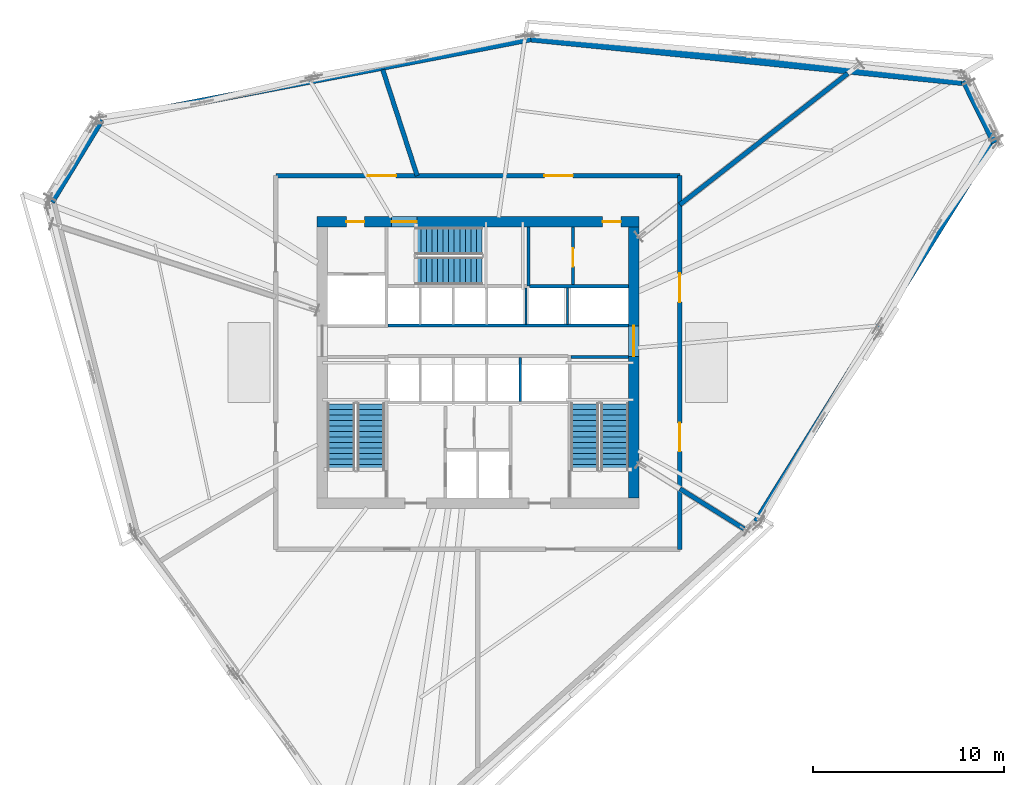
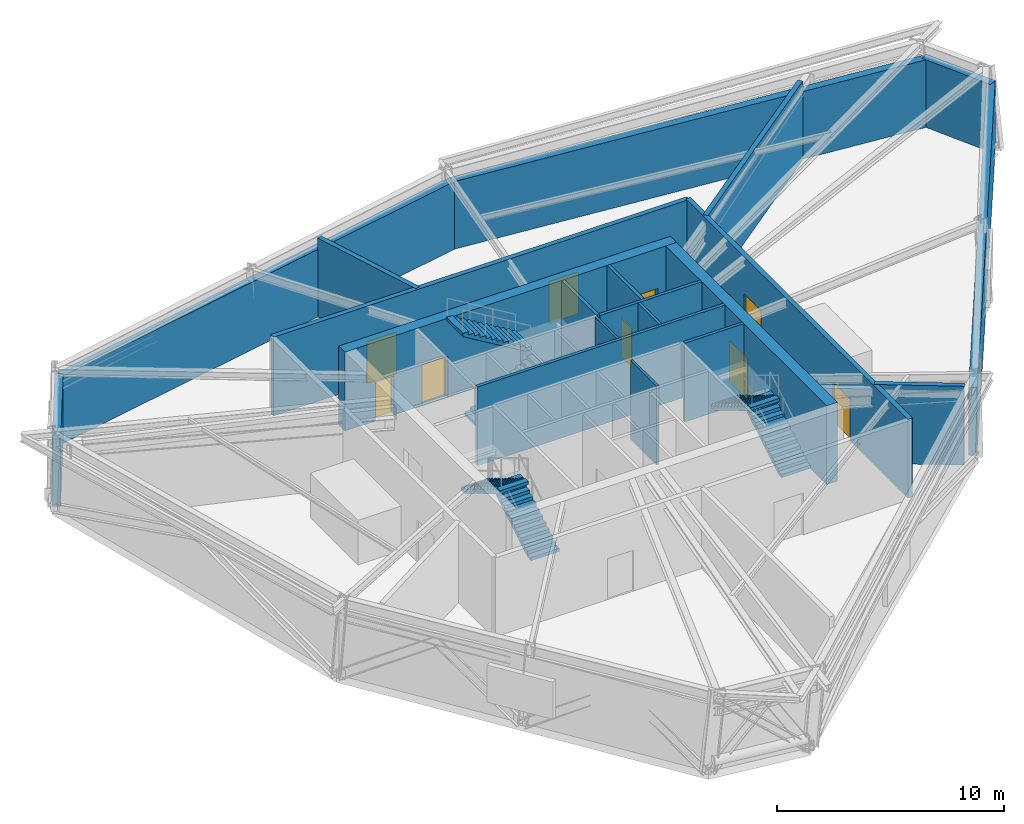
# One storey, part 10 of 14: 20 walls, 9 doors, 6 stair flights, 9 openings, 3 elements without a shape of their own.
"""IFC4 building model written with IfcOpenShell, lengths in metres."""

from ifc_helpers import new_model, si_unit, direction, frame, frame_2d, origin, place, context, subcontext, project, spatial, polyline, rectangle, outline, extrude, source, transform, mapped, material, layer, layer_set, type_object, type_shapes, element, fill, aggregate, save


model = new_model("IFC4")

# Units and contexts
model_context = context("Model", 3, precision=1e-05, world=origin(), true_north=direction((0.0, 1.0)))
body_context = subcontext(model_context, "Body", "Model", "MODEL_VIEW")
ifc_project = project(units=[si_unit("LENGTHUNIT", "METRE"), si_unit("AREAUNIT", "SQUARE_METRE"), si_unit("VOLUMEUNIT", "CUBIC_METRE"), si_unit("PLANEANGLEUNIT", "RADIAN"), si_unit("MASSUNIT", "GRAM", prefix="KILO")], contexts=[model_context])

# Site, building, storey
site_placement = place(None, origin())
site = spatial("IfcSite", under=ifc_project, at=site_placement, CompositionType="ELEMENT")
building_placement = place(site_placement, origin())
building = spatial("IfcBuilding", under=site, at=building_placement, Name="Olszyna Solenne Hotel", CompositionType="ELEMENT")
storey_placement = place(building_placement, frame((0.0, 0.0, 142.10009765625)))
storey = spatial("IfcBuildingStorey", under=building, at=storey_placement, Name="L37", CompositionType="ELEMENT", Elevation=142.10009765625)

# Wall, openings, doors
ifc_material_1 = material(Name="Concrete C50/60", Category="concrete")
ifc_layer_1 = layer(ifc_material_1, 0.550048828125, Name="Concrete C50/60")
ifc_layer_set_1 = layer_set([ifc_layer_1], Name="Concrete C50/60")
wall_type_1 = type_object("IfcWallType", Name="WL-CR550", PredefinedType="SHEAR", material=ifc_layer_set_1)
wall_1_placement = place(storey_placement, frame((29.550048828125, 33.97509765625, 0.0), z_axis=(0.0, 0.0, 1.0), x_axis=(1.0, 0.0, 0.0)))
wall_1 = element("IfcWall", 1, at=wall_1_placement, inside=storey, type_object=wall_type_1, Name="Core shear wall WL-CR550 CRW-L37-N", PredefinedType="SHEAR", context=body_context, shape_type="SweptSolid", body=[
    extrude(rectangle(XDim=16.89990234375, YDim=0.550048828125, at=frame_2d((8.449951171875, 0.0))), origin(), (0.0, 0.0, 1.0), 4.25),
])
opening_1_placement = place(wall_1_placement, frame((1.550048828125, 0.0, 0.0)))
opening_1 = element("IfcOpeningElement", 2, at=opening_1_placement, cuts=wall_1, Name="Opening SVD-L37-01", PredefinedType="OPENING", context=body_context, shape_type="SweptSolid", body=[
    extrude(rectangle(XDim=0.949951171875, YDim=2.10009765625, at=frame_2d((0.47509765625, 1.050048828125))), frame((0.0, 0.28515625, 0.0), z_axis=(0.0, -1.0, 0.0), x_axis=(1.0, 0.0, 0.0)), (0.0, 0.0, 1.0), 0.570068359375),
])
opening_2_placement = place(wall_1_placement, frame((3.929931640625, 0.0, 0.0)))
opening_2 = element("IfcOpeningElement", 3, at=opening_2_placement, cuts=wall_1, Name="Opening STD-L37-03", PredefinedType="OPENING", context=body_context, shape_type="SweptSolid", body=[
    extrude(rectangle(XDim=1.320068359375, YDim=2.199951171875, at=frame_2d((0.66015625, 1.10009765625))), frame((0.0, 0.28515625, 0.0), z_axis=(0.0, -1.0, 0.0), x_axis=(1.0, 0.0, 0.0)), (0.0, 0.0, 1.0), 0.570068359375),
])
opening_3_placement = place(wall_1_placement, frame((15.0, 0.0, 0.0)))
opening_3 = element("IfcOpeningElement", 4, at=opening_3_placement, cuts=wall_1, Name="Opening SVD-L37-BN", PredefinedType="OPENING", context=body_context, shape_type="SweptSolid", body=[
    extrude(rectangle(XDim=0.949951171875, YDim=2.10009765625, at=frame_2d((0.47509765625, 1.050048828125))), frame((0.0, 0.28515625, 0.0), z_axis=(0.0, -1.0, 0.0), x_axis=(1.0, 0.0, 0.0)), (0.0, 0.0, 1.0), 0.570068359375),
])
ifc_material_2 = material(Name="Steel S355J2", Category="steel")
door_type_1 = type_object("IfcDoorType", Name="DR-ST1", OperationType="NOTDEFINED", PredefinedType="DOOR", material=ifc_material_2)
shared_shape_1 = source(origin(), body_context, "Body", "SweptSolid", [
    extrude(rectangle(XDim=1.320068359375, YDim=2.199951171875, at=frame_2d((0.66015625, 1.10009765625))), frame((0.0, 0.02490234375, 0.0), z_axis=(0.0, -1.0, 0.0), x_axis=(1.0, 0.0, 0.0)), (0.0, 0.0, 1.0), 0.050048828125),
])
type_shapes(door_type_1, [shared_shape_1])
door_1_placement = place(opening_2_placement, origin())
door_1 = element("IfcDoor", 5, at=door_1_placement, inside=storey, type_object=door_type_1, Name="Pressurised exit stair ST3 fire door STD-L37-03", OperationType="SINGLE_SWING_RIGHT", OverallHeight=2.199951171875, OverallWidth=1.320068359375, PredefinedType="DOOR", context=body_context, shape_type="MappedRepresentation", body=[
    mapped(shared_shape_1, transform((0.0, 0.0, 0.0), x_axis=(1.0, 0.0, 0.0), y_axis=(0.0, 1.0, 0.0), z_axis=(0.0, 0.0, 1.0), scale=1.0)),
])
fill(opening_2, door_1)
door_type_2 = type_object("IfcDoorType", Name="DR-SV1", OperationType="NOTDEFINED", PredefinedType="DOOR", material=ifc_material_2)
shared_shape_2 = source(origin(), body_context, "Body", "SweptSolid", [
    extrude(rectangle(XDim=0.949951171875, YDim=2.10009765625, at=frame_2d((0.47509765625, 1.050048828125))), frame((0.0, 0.02490234375, 0.0), z_axis=(0.0, -1.0, 0.0), x_axis=(1.0, 0.0, 0.0)), (0.0, 0.0, 1.0), 0.050048828125),
])
type_shapes(door_type_2, [shared_shape_2])
door_2_placement = place(opening_1_placement, origin())
door_2 = element("IfcDoor", 6, at=door_2_placement, inside=storey, type_object=door_type_2, Name="Service lift lobby fire door SVD-L37-01", OperationType="SINGLE_SWING_LEFT", OverallHeight=2.10009765625, OverallWidth=0.949951171875, PredefinedType="DOOR", context=body_context, shape_type="MappedRepresentation", body=[
    mapped(shared_shape_2, transform((0.0, 0.0, 0.0), x_axis=(1.0, 0.0, 0.0), y_axis=(0.0, 1.0, 0.0), z_axis=(0.0, 0.0, 1.0), scale=1.0)),
])
fill(opening_1, door_2)
door_3_placement = place(opening_3_placement, origin())
door_3 = element("IfcDoor", 7, at=door_3_placement, inside=storey, type_object=door_type_2, Name="Housekeeping core fire door SVD-L37-BN", OperationType="SINGLE_SWING_LEFT", OverallHeight=2.10009765625, OverallWidth=0.949951171875, PredefinedType="DOOR", context=body_context, shape_type="MappedRepresentation", body=[
    mapped(shared_shape_2, transform((0.0, 0.0, 0.0), x_axis=(1.0, 0.0, 0.0), y_axis=(0.0, 1.0, 0.0), z_axis=(0.0, 0.0, 1.0), scale=1.0)),
])
fill(opening_3, door_3)

# Wall, opening, door
wall_2_placement = place(storey_placement, frame((46.175048828125, 33.699951171875, 0.0), z_axis=(0.0, 0.0, 1.0), x_axis=(0.0, -1.0, 0.0)))
wall_2 = element("IfcWall", 8, at=wall_2_placement, inside=storey, type_object=wall_type_1, Name="Core shear wall WL-CR550 CRW-L37-E", PredefinedType="SHEAR", context=body_context, shape_type="SweptSolid", body=[
    extrude(rectangle(XDim=14.199951171875, YDim=0.550048828125, at=frame_2d((7.10009765625, 0.0))), origin(), (0.0, 0.0, 1.0), 4.25),
])
opening_4_placement = place(wall_2_placement, frame((5.179931640625, 0.0, 0.0)))
opening_4 = element("IfcOpeningElement", 9, at=opening_4_placement, cuts=wall_2, Name="Opening LHD-L37-E", PredefinedType="OPENING", context=body_context, shape_type="SweptSolid", body=[
    extrude(rectangle(XDim=1.60009765625, YDim=2.199951171875, at=frame_2d((0.800048828125, 1.10009765625))), frame((0.0, 0.28515625, 0.0), z_axis=(0.0, -1.0, 0.0), x_axis=(1.0, 0.0, 0.0)), (0.0, 0.0, 1.0), 0.570068359375),
])
ifc_material_3 = material(Name="Timber hardwood", Category="wood")
door_type_3 = type_object("IfcDoorType", Name="DR-CR1", OperationType="DOUBLE_DOOR_SINGLE_SWING", PredefinedType="DOOR", material=ifc_material_3)
shared_shape_3 = source(origin(), body_context, "Body", "SweptSolid", [
    extrude(rectangle(XDim=1.60009765625, YDim=2.199951171875, at=frame_2d((0.800048828125, 1.10009765625))), frame((0.0, 0.02490234375, 0.0), z_axis=(0.0, -1.0, 0.0), x_axis=(1.0, 0.0, 0.0)), (0.0, 0.0, 1.0), 0.050048828125),
])
type_shapes(door_type_3, [shared_shape_3])
door_4_placement = place(opening_4_placement, origin())
door_4 = element("IfcDoor", 10, at=door_4_placement, inside=storey, type_object=door_type_3, Name="Passenger lift lobby East fire door LHD-L37-E", OperationType="DOUBLE_DOOR_SINGLE_SWING", OverallHeight=2.199951171875, OverallWidth=1.60009765625, PredefinedType="DOOR", context=body_context, shape_type="MappedRepresentation", body=[
    mapped(shared_shape_3, transform((0.0, 0.0, 0.0), x_axis=(1.0, 0.0, 0.0), y_axis=(0.0, 1.0, 0.0), z_axis=(0.0, 0.0, 1.0), scale=1.0)),
])
fill(opening_4, door_4)

# Walls
ifc_material_4 = material(Name="Terracotta cladding on precast concrete C45/55", Category="masonry")
ifc_layer_2 = layer(ifc_material_4, 0.3798828125, Name="Terracotta cladding on precast concrete C45/55")
ifc_layer_set_2 = layer_set([ifc_layer_2], Name="Terracotta cladding on precast concrete C45/55")
wall_type_2 = type_object("IfcWallType", Name="WL-EX380", PredefinedType="SOLIDWALL", material=ifc_layer_set_2)
wall_3_placement = place(storey_placement, frame((15.615478515625, 35.03466796875, 0.0), z_axis=(0.0, 0.0, 1.0), x_axis=(0.519474959346, 0.854485673731, 0.0)))
element("IfcWall", 11, at=wall_3_placement, inside=storey, type_object=wall_type_2, Name="Exterior terracotta-precast frame wall WL-EX380 EW-L37-05", PredefinedType="SOLIDWALL", context=body_context, shape_type="SweptSolid", body=[
    extrude(rectangle(XDim=5.03857421875, YDim=0.3798828125, at=frame_2d((2.519287109375, 0.0))), origin(), (0.0, 0.0, 1.0), 3.641845703125),
])
wall_4_placement = place(storey_placement, frame((18.1064453125, 39.252197265625, 0.0), z_axis=(0.0, 0.0, 1.0), x_axis=(0.982058256353, 0.188577785352, 0.0)))
element("IfcWall", 12, at=wall_4_placement, inside=storey, type_object=wall_type_2, Name="Exterior terracotta-precast frame wall WL-EX380 EW-L37-06", PredefinedType="SOLIDWALL", context=body_context, shape_type="SweptSolid", body=[
    extrude(rectangle(XDim=23.074462890625, YDim=0.3798828125, at=frame_2d((11.537109375, 0.0))), origin(), (0.0, 0.0, 1.0), 3.641845703125),
])
wall_5_placement = place(storey_placement, frame((40.7119140625, 43.601318359375, 0.0), z_axis=(0.0, 0.0, 1.0), x_axis=(0.994945211236, -0.100419254326, 0.0)))
element("IfcWall", 13, at=wall_5_placement, inside=storey, type_object=wall_type_2, Name="Exterior terracotta-precast frame wall WL-EX380 EW-L37-07", PredefinedType="SOLIDWALL", context=body_context, shape_type="SweptSolid", body=[
    extrude(rectangle(XDim=23.07470703125, YDim=0.3798828125, at=frame_2d((11.537353515625, 0.0))), origin(), (0.0, 0.0, 1.0), 3.641845703125),
])
wall_6_placement = place(storey_placement, frame((63.5185546875, 41.389404296875, 0.0), z_axis=(0.0, 0.0, 1.0), x_axis=(0.442318381108, -0.896858098995, 0.0)))
element("IfcWall", 14, at=wall_6_placement, inside=storey, type_object=wall_type_2, Name="Exterior terracotta-precast frame wall WL-EX380 EW-L37-08", PredefinedType="SOLIDWALL", context=body_context, shape_type="SweptSolid", body=[
    extrude(rectangle(XDim=3.6357421875, YDim=0.3798828125, at=frame_2d((1.81787109375, 0.0))), origin(), (0.0, 0.0, 1.0), 3.641845703125),
])
wall_7_placement = place(storey_placement, frame((65.1357421875, 38.313232421875, 0.0), z_axis=(0.0, 0.0, 1.0), x_axis=(-0.529057237664, -0.84858614134, 0.0)))
element("IfcWall", 15, at=wall_7_placement, inside=storey, type_object=wall_type_2, Name="Exterior terracotta-precast frame wall WL-EX380 EW-L37-09", PredefinedType="SOLIDWALL", context=body_context, shape_type="SweptSolid", body=[
    extrude(rectangle(XDim=23.66162109375, YDim=0.3798828125, at=frame_2d((11.830810546875, 0.0))), origin(), (0.0, 0.0, 1.0), 3.641845703125),
])
ifc_material_5 = material(Name="Acoustic gypsum partition", Category="gypsum")
ifc_layer_3 = layer(ifc_material_5, 0.125, Name="Acoustic gypsum partition")
ifc_layer_set_3 = layer_set([ifc_layer_3], Name="Acoustic gypsum partition")
wall_type_3 = type_object("IfcWallType", Name="WL-PT125", PredefinedType="PARTITIONING", material=ifc_layer_set_3)
wall_8_placement = place(storey_placement, frame((40.215087890625, 24.56005859375, 0.0), z_axis=(0.0, 0.0, 1.0), x_axis=(0.0, 1.0, 0.0)))
element("IfcWall", 16, at=wall_8_placement, inside=storey, type_object=wall_type_3, Name="Core shaft compartment wall CW-L37-DIVS402", PredefinedType="PARTITIONING", context=body_context, shape_type="SweptSolid", body=[
    extrude(rectangle(XDim=2.31005859375, YDim=0.125, at=frame_2d((1.155029296875, 0.0))), origin(), (0.0, 0.0, 1.0), 4.25),
])
for number, where, z_axis, x_axis, name in (
    (17, (40.52490234375, 28.60009765625, 0.0), (0.0, 0.0, 1.0), (0.0, 1.0, 0.0), "Core shaft compartment wall CW-L37-DIVEX405"),
    (18, (42.699951171875, 28.60009765625, 0.0), (0.0, 0.0, 1.0), (0.0, 1.0, 0.0), "Core shaft compartment wall CW-L37-DIVEX427"),
):
    element("IfcWall", number, at=place(storey_placement, frame(where, z_axis=z_axis, x_axis=x_axis)), inside=storey, type_object=wall_type_3, Name=name, PredefinedType="PARTITIONING", context=body_context, shape_type="SweptSolid", body=[
        extrude(rectangle(XDim=1.919921875, YDim=0.125, at=frame_2d((0.9599609375, 0.0))), origin(), (0.0, 0.0, 1.0), 4.25),
    ])
ifc_layer_4 = layer(ifc_material_5, 0.159912109375, Name="Acoustic gypsum partition")
ifc_layer_set_4 = layer_set([ifc_layer_4], Name="Acoustic gypsum partition")
wall_type_4 = type_object("IfcWallType", Name="WL-PT160", PredefinedType="PARTITIONING", material=ifc_layer_set_4)
wall_9_placement = place(storey_placement, frame((42.8798828125, 26.8798828125, 0.0), z_axis=(0.0, 0.0, 1.0), x_axis=(1.0, 0.0, 0.0)))
element("IfcWall", 19, at=wall_9_placement, inside=storey, type_object=wall_type_4, Name="Core shaft compartment wall CW-L37-ST2N", PredefinedType="PARTITIONING", context=body_context, shape_type="SweptSolid", body=[
    extrude(rectangle(XDim=3.02001953125, YDim=0.159912109375, at=frame_2d((1.510009765625, 0.0))), origin(), (0.0, 0.0, 1.0), 4.25),
])
wall_10_placement = place(storey_placement, frame((40.659912109375, 30.60009765625, 0.0), z_axis=(0.0, 0.0, 1.0), x_axis=(0.0, 1.0, 0.0)))
element("IfcWall", 20, at=wall_10_placement, inside=storey, type_object=wall_type_4, Name="Core shaft compartment wall CW-L37-ST3E", PredefinedType="PARTITIONING", context=body_context, shape_type="SweptSolid", body=[
    extrude(rectangle(XDim=3.099853515625, YDim=0.159912109375, at=frame_2d((1.5498046875, 0.0))), origin(), (0.0, 0.0, 1.0), 4.25),
])
wall_11_placement = place(storey_placement, frame((33.280029296875, 28.5400390625, 0.0), z_axis=(0.0, 0.0, 1.0), x_axis=(1.0, 0.0, 0.0)))
element("IfcWall", 21, at=wall_11_placement, inside=storey, type_object=wall_type_4, Name="Core shaft compartment wall CW-L37-LRN", PredefinedType="PARTITIONING", context=body_context, shape_type="SweptSolid", body=[
    extrude(rectangle(XDim=12.619873046875, YDim=0.159912109375, at=frame_2d((6.31005859375, 0.0))), origin(), (0.0, 0.0, 1.0), 4.25),
])
wall_12_placement = place(storey_placement, frame((40.719970703125, 30.60009765625, 0.0), z_axis=(0.0, 0.0, 1.0), x_axis=(1.0, 0.0, 0.0)))
element("IfcWall", 22, at=wall_12_placement, inside=storey, type_object=wall_type_4, Name="Core shaft compartment wall CW-L37-LRNTOP", PredefinedType="PARTITIONING", context=body_context, shape_type="SweptSolid", body=[
    extrude(rectangle(XDim=5.179931640625, YDim=0.159912109375, at=frame_2d((2.58984375, 0.0))), origin(), (0.0, 0.0, 1.0), 4.25),
])

# Wall, opening, door
wall_13_placement = place(storey_placement, frame((42.989990234375, 30.679931640625, 0.0), z_axis=(0.0, 0.0, 1.0), x_axis=(0.0, 1.0, 0.0)))
wall_13 = element("IfcWall", 23, at=wall_13_placement, inside=storey, type_object=wall_type_4, Name="Core shaft compartment wall CW-L37-BOH1", PredefinedType="PARTITIONING", context=body_context, shape_type="SweptSolid", body=[
    extrude(rectangle(XDim=3.02001953125, YDim=0.159912109375, at=frame_2d((1.510009765625, 0.0))), origin(), (0.0, 0.0, 1.0), 4.25),
])
opening_5_placement = place(wall_13_placement, frame((0.949951171875, 0.0, 0.0)))
opening_5 = element("IfcOpeningElement", 24, at=opening_5_placement, cuts=wall_13, Name="Opening SVD-L37-BI1", PredefinedType="OPENING", context=body_context, shape_type="SweptSolid", body=[
    extrude(rectangle(XDim=0.949951171875, YDim=2.10009765625, at=frame_2d((0.47509765625, 1.050048828125))), frame((0.0, 0.08984375, 0.0), z_axis=(0.0, -1.0, 0.0), x_axis=(1.0, 0.0, 0.0)), (0.0, 0.0, 1.0), 0.179931640625),
])
door_5_placement = place(opening_5_placement, origin())
door_5 = element("IfcDoor", 25, at=door_5_placement, inside=storey, type_object=door_type_2, Name="BOH inter-room fire door SVD-L37-BI1", OperationType="SINGLE_SWING_LEFT", OverallHeight=2.10009765625, OverallWidth=0.949951171875, PredefinedType="DOOR", context=body_context, shape_type="MappedRepresentation", body=[
    mapped(shared_shape_2, transform((0.0, 0.0, 0.0), x_axis=(1.0, 0.0, 0.0), y_axis=(0.0, 1.0, 0.0), z_axis=(0.0, 0.0, 1.0), scale=1.0)),
])
fill(opening_5, door_5)

# Walls
ifc_layer_5 = layer(ifc_material_5, 0.239990234375, Name="Acoustic gypsum partition")
ifc_layer_set_5 = layer_set([ifc_layer_5], Name="Acoustic gypsum partition")
wall_type_5 = type_object("IfcWallType", Name="WL-PT240", PredefinedType="PARTITIONING", material=ifc_layer_set_5)
wall_14_placement = place(storey_placement, frame((48.60009765625, 19.976318359375, 0.0), z_axis=(0.0, 0.0, 1.0), x_axis=(0.84806382316, -0.529894094935, 0.0)))
element("IfcWall", 26, at=wall_14_placement, inside=storey, type_object=wall_type_5, Name="Interior acoustic partition WL-PT240 PW-L37-2119", PredefinedType="PARTITIONING", context=body_context, shape_type="SweptSolid", body=[
    extrude(rectangle(XDim=3.97705078125, YDim=0.239990234375, at=frame_2d((1.988525390625, 0.0))), origin(), (0.0, 0.0, 1.0), 4.25),
])
wall_15_placement = place(storey_placement, frame((48.60009765625, 34.881591796875, 0.0), z_axis=(0.0, 0.0, 1.0), x_axis=(0.788011131686, 0.615660991406, 0.0)))
element("IfcWall", 27, at=wall_15_placement, inside=storey, type_object=wall_type_5, Name="Interior acoustic partition WL-PT240 PW-L37-2120", PredefinedType="PARTITIONING", context=body_context, shape_type="SweptSolid", body=[
    extrude(rectangle(XDim=11.1806640625, YDim=0.239990234375, at=frame_2d((5.59033203125, 0.0))), origin(), (0.0, 0.0, 1.0), 4.25),
])
wall_16_placement = place(storey_placement, frame((34.81591796875, 36.39990234375, 0.0), z_axis=(0.0, 0.0, 1.0), x_axis=(-0.309041701123, 0.951048488231, 0.0)))
element("IfcWall", 28, at=wall_16_placement, inside=storey, type_object=wall_type_5, Name="Interior acoustic partition WL-PT240 PW-L37-2121", PredefinedType="PARTITIONING", context=body_context, shape_type="SweptSolid", body=[
    extrude(rectangle(XDim=5.847412109375, YDim=0.239990234375, at=frame_2d((2.923828125, 0.0))), origin(), (0.0, 0.0, 1.0), 4.25),
])

# Wall, openings, doors
wall_17_placement = place(storey_placement, frame((27.39990234375, 36.39990234375, 0.0), z_axis=(0.0, 0.0, 1.0), x_axis=(1.0, 0.0, 0.0)))
wall_17 = element("IfcWall", 29, at=wall_17_placement, inside=storey, type_object=wall_type_5, Name="Interior acoustic partition WL-PT240 PW-L37-2124", PredefinedType="PARTITIONING", context=body_context, shape_type="SweptSolid", body=[
    extrude(rectangle(XDim=21.2001953125, YDim=0.239990234375, at=frame_2d((10.60009765625, 0.0))), origin(), (0.0, 0.0, 1.0), 4.25),
])
opening_6_placement = place(wall_17_placement, frame((4.81005859375, 0.0, 0.0)))
opening_6 = element("IfcOpeningElement", 30, at=opening_6_placement, cuts=wall_17, Name="Opening DR-L37-0514", PredefinedType="OPENING", context=body_context, shape_type="SweptSolid", body=[
    extrude(rectangle(XDim=1.5, YDim=2.25, at=frame_2d((0.75, 1.125))), frame((0.0, 0.1298828125, 0.0), z_axis=(0.0, -1.0, 0.0), x_axis=(1.0, 0.0, 0.0)), (0.0, 0.0, 1.0), 0.260009765625),
])
opening_7_placement = place(wall_17_placement, frame((14.090087890625, 0.0, 0.0)))
opening_7 = element("IfcOpeningElement", 31, at=opening_7_placement, cuts=wall_17, Name="Opening DR-L37-0515", PredefinedType="OPENING", context=body_context, shape_type="SweptSolid", body=[
    extrude(rectangle(XDim=1.5, YDim=2.25, at=frame_2d((0.75, 1.125))), frame((0.0, 0.1298828125, 0.0), z_axis=(0.0, -1.0, 0.0), x_axis=(1.0, 0.0, 0.0)), (0.0, 0.0, 1.0), 0.260009765625),
])
door_type_4 = type_object("IfcDoorType", Name="DR-PL1", OperationType="DOUBLE_DOOR_SINGLE_SWING", PredefinedType="DOOR", material=ifc_material_2)
shared_shape_4 = source(origin(), body_context, "Body", "SweptSolid", [
    extrude(rectangle(XDim=1.5, YDim=2.25, at=frame_2d((0.75, 1.125))), frame((0.0, 0.02490234375, 0.0), z_axis=(0.0, -1.0, 0.0), x_axis=(1.0, 0.0, 0.0)), (0.0, 0.0, 1.0), 0.050048828125),
])
type_shapes(door_type_4, [shared_shape_4])
door_6_placement = place(opening_6_placement, origin())
door_6 = element("IfcDoor", 32, at=door_6_placement, inside=storey, type_object=door_type_4, Name="Refuge / Plant Fire Door DR-L37-0514", OperationType="DOUBLE_DOOR_SINGLE_SWING", OverallHeight=2.25, OverallWidth=1.5, PredefinedType="DOOR", context=body_context, shape_type="MappedRepresentation", body=[
    mapped(shared_shape_4, transform((0.0, 0.0, 0.0), x_axis=(1.0, 0.0, 0.0), y_axis=(0.0, 1.0, 0.0), z_axis=(0.0, 0.0, 1.0), scale=1.0)),
])
fill(opening_6, door_6)
door_7_placement = place(opening_7_placement, origin())
door_7 = element("IfcDoor", 33, at=door_7_placement, inside=storey, type_object=door_type_4, Name="Refuge / Plant Fire Door DR-L37-0515", OperationType="DOUBLE_DOOR_SINGLE_SWING", OverallHeight=2.25, OverallWidth=1.5, PredefinedType="DOOR", context=body_context, shape_type="MappedRepresentation", body=[
    mapped(shared_shape_4, transform((0.0, 0.0, 0.0), x_axis=(1.0, 0.0, 0.0), y_axis=(0.0, 1.0, 0.0), z_axis=(0.0, 0.0, 1.0), scale=1.0)),
])
fill(opening_7, door_7)

wall_18_placement = place(storey_placement, frame((48.60009765625, 16.800048828125, 0.0), z_axis=(0.0, 0.0, 1.0), x_axis=(0.0, 1.0, 0.0)))
wall_18 = element("IfcWall", 34, at=wall_18_placement, inside=storey, type_object=wall_type_5, Name="Interior acoustic partition WL-PT240 PW-L37-2126", PredefinedType="PARTITIONING", context=body_context, shape_type="SweptSolid", body=[
    extrude(rectangle(XDim=19.599853515625, YDim=0.239990234375, at=frame_2d((9.7998046875, 0.0))), origin(), (0.0, 0.0, 1.0), 4.25),
])
opening_8_placement = place(wall_18_placement, frame((5.1298828125, 0.0, 0.0)))
opening_8 = element("IfcOpeningElement", 35, at=opening_8_placement, cuts=wall_18, Name="Opening DR-L37-0518", PredefinedType="OPENING", context=body_context, shape_type="SweptSolid", body=[
    extrude(rectangle(XDim=1.5, YDim=2.25, at=frame_2d((0.75, 1.125))), frame((0.0, 0.1298828125, 0.0), z_axis=(0.0, -1.0, 0.0), x_axis=(1.0, 0.0, 0.0)), (0.0, 0.0, 1.0), 0.260009765625),
])
opening_9_placement = place(wall_18_placement, frame((12.969970703125, 0.0, 0.0)))
opening_9 = element("IfcOpeningElement", 36, at=opening_9_placement, cuts=wall_18, Name="Opening DR-L37-0519", PredefinedType="OPENING", context=body_context, shape_type="SweptSolid", body=[
    extrude(rectangle(XDim=1.5, YDim=2.25, at=frame_2d((0.75, 1.125))), frame((0.0, 0.1298828125, 0.0), z_axis=(0.0, -1.0, 0.0), x_axis=(1.0, 0.0, 0.0)), (0.0, 0.0, 1.0), 0.260009765625),
])
door_8_placement = place(opening_8_placement, origin())
door_8 = element("IfcDoor", 37, at=door_8_placement, inside=storey, type_object=door_type_4, Name="Refuge / Plant Fire Door DR-L37-0518", OperationType="DOUBLE_DOOR_SINGLE_SWING", OverallHeight=2.25, OverallWidth=1.5, PredefinedType="DOOR", context=body_context, shape_type="MappedRepresentation", body=[
    mapped(shared_shape_4, transform((0.0, 0.0, 0.0), x_axis=(1.0, 0.0, 0.0), y_axis=(0.0, 1.0, 0.0), z_axis=(0.0, 0.0, 1.0), scale=1.0)),
])
fill(opening_8, door_8)
door_9_placement = place(opening_9_placement, origin())
door_9 = element("IfcDoor", 38, at=door_9_placement, inside=storey, type_object=door_type_4, Name="Refuge / Plant Fire Door DR-L37-0519", OperationType="DOUBLE_DOOR_SINGLE_SWING", OverallHeight=2.25, OverallWidth=1.5, PredefinedType="DOOR", context=body_context, shape_type="MappedRepresentation", body=[
    mapped(shared_shape_4, transform((0.0, 0.0, 0.0), x_axis=(1.0, 0.0, 0.0), y_axis=(0.0, 1.0, 0.0), z_axis=(0.0, 0.0, 1.0), scale=1.0)),
])
fill(opening_9, door_9)

# Stair, stair flights
ifc_material_6 = material(Name="Concrete C40/50", Category="concrete")
stair_type = type_object("IfcStairType", Name="STR-C1", PredefinedType="TWO_QUARTER_WINDING_STAIR", material=ifc_material_6)
stair_1_placement = place(storey_placement, origin())
stair_1 = element("IfcStair", 39, at=stair_1_placement, inside=storey, type_object=stair_type, Name="L37 ST1", PredefinedType="TWO_QUARTER_WINDING_STAIR")
stair_flight_type = type_object("IfcStairFlightType", Name="FLT-C1", PredefinedType="STRAIGHT", material=ifc_material_6)
stair_flight_1_placement = place(storey_placement, frame((32.39501953125, 20.949951171875, 0.0), z_axis=(0.0, 0.0, 1.0), x_axis=(0.0, 1.0, 0.0)))
stair_flight_1 = element("IfcStairFlight", 40, at=stair_flight_1_placement, type_object=stair_flight_type, Name="ST1 flight 1", NumberOfRisers=13, NumberOfTreads=12, PredefinedType="STRAIGHT", RiserHeight=0.173076923, TreadLength=0.29, context=body_context, shape_type="SweptSolid", body=[
    extrude(outline(polyline([(0.0, 0.0), (0.0, 0.173095703125), (0.2900390625, 0.173095703125), (0.2900390625, 0.34619140625), (0.580078125, 0.34619140625), (0.580078125, 0.519287109375), (0.8701171875, 0.519287109375), (0.8701171875, 0.6923828125), (1.159912109375, 0.6923828125), (1.159912109375, 0.865478515625), (1.449951171875, 0.865478515625), (1.449951171875, 1.03857421875), (1.739990234375, 1.03857421875), (1.739990234375, 1.21142578125), (2.030029296875, 1.21142578125), (2.030029296875, 1.384521484375), (2.320068359375, 1.384521484375), (2.320068359375, 1.5576171875), (2.610107421875, 1.5576171875), (2.610107421875, 1.730712890625), (2.89990234375, 1.730712890625), (2.89990234375, 1.90380859375), (3.18994140625, 1.90380859375), (3.18994140625, 2.076904296875), (3.47998046875, 2.076904296875), (3.47998046875, 2.25), (3.47998046875, 1.90234375), (0.29248046875, 0.0), (0.0, 0.0)])), frame((0.0, 0.72509765625, 0.0), z_axis=(0.0, -1.0, 0.0), x_axis=(1.0, 0.0, 0.0)), (0.0, 0.0, 1.0), 1.449951171875),
])
stair_flight_2_placement = place(storey_placement, frame((30.824951171875, 24.429931640625, 2.25), z_axis=(0.0, 0.0, 1.0), x_axis=(0.0, -1.0, 0.0)))
stair_flight_2 = element("IfcStairFlight", 41, at=stair_flight_2_placement, type_object=stair_flight_type, Name="ST1 flight 2", NumberOfRisers=13, NumberOfTreads=12, PredefinedType="STRAIGHT", RiserHeight=0.173076923, TreadLength=0.29, context=body_context, shape_type="SweptSolid", body=[
    extrude(outline(polyline([(0.0, 0.0), (0.0, 0.173095703125), (0.2900390625, 0.173095703125), (0.2900390625, 0.34619140625), (0.580078125, 0.34619140625), (0.580078125, 0.519287109375), (0.8701171875, 0.519287109375), (0.8701171875, 0.6923828125), (1.159912109375, 0.6923828125), (1.159912109375, 0.865478515625), (1.449951171875, 0.865478515625), (1.449951171875, 1.03857421875), (1.739990234375, 1.03857421875), (1.739990234375, 1.21142578125), (2.030029296875, 1.21142578125), (2.030029296875, 1.384521484375), (2.320068359375, 1.384521484375), (2.320068359375, 1.5576171875), (2.610107421875, 1.5576171875), (2.610107421875, 1.730712890625), (2.89990234375, 1.730712890625), (2.89990234375, 1.90380859375), (3.18994140625, 1.90380859375), (3.18994140625, 2.076904296875), (3.47998046875, 2.076904296875), (3.47998046875, 2.25), (3.47998046875, 1.90234375), (0.29248046875, 0.0), (0.0, 0.0)])), frame((0.0, 0.72509765625, 0.0), z_axis=(0.0, -1.0, 0.0), x_axis=(1.0, 0.0, 0.0)), (0.0, 0.0, 1.0), 1.449951171875),
])
aggregate(stair_1, [stair_flight_1, stair_flight_2])

stair_2_placement = place(storey_placement, origin())
stair_2 = element("IfcStair", 42, at=stair_2_placement, inside=storey, type_object=stair_type, Name="L37 ST2", PredefinedType="TWO_QUARTER_WINDING_STAIR")
stair_flight_3_placement = place(storey_placement, frame((45.175048828125, 20.949951171875, 0.0), z_axis=(0.0, 0.0, 1.0), x_axis=(0.0, 1.0, 0.0)))
stair_flight_3 = element("IfcStairFlight", 43, at=stair_flight_3_placement, type_object=stair_flight_type, Name="ST2 flight 1", NumberOfRisers=13, NumberOfTreads=12, PredefinedType="STRAIGHT", RiserHeight=0.173076923, TreadLength=0.29, context=body_context, shape_type="SweptSolid", body=[
    extrude(outline(polyline([(0.0, 0.0), (0.0, 0.173095703125), (0.2900390625, 0.173095703125), (0.2900390625, 0.34619140625), (0.580078125, 0.34619140625), (0.580078125, 0.519287109375), (0.8701171875, 0.519287109375), (0.8701171875, 0.6923828125), (1.159912109375, 0.6923828125), (1.159912109375, 0.865478515625), (1.449951171875, 0.865478515625), (1.449951171875, 1.03857421875), (1.739990234375, 1.03857421875), (1.739990234375, 1.21142578125), (2.030029296875, 1.21142578125), (2.030029296875, 1.384521484375), (2.320068359375, 1.384521484375), (2.320068359375, 1.5576171875), (2.610107421875, 1.5576171875), (2.610107421875, 1.730712890625), (2.89990234375, 1.730712890625), (2.89990234375, 1.90380859375), (3.18994140625, 1.90380859375), (3.18994140625, 2.076904296875), (3.47998046875, 2.076904296875), (3.47998046875, 2.25), (3.47998046875, 1.90234375), (0.29248046875, 0.0), (0.0, 0.0)])), frame((0.0, 0.72509765625, 0.0), z_axis=(0.0, -1.0, 0.0), x_axis=(1.0, 0.0, 0.0)), (0.0, 0.0, 1.0), 1.449951171875),
])
stair_flight_4_placement = place(storey_placement, frame((43.60498046875, 24.429931640625, 2.25), z_axis=(0.0, 0.0, 1.0), x_axis=(0.0, -1.0, 0.0)))
stair_flight_4 = element("IfcStairFlight", 44, at=stair_flight_4_placement, type_object=stair_flight_type, Name="ST2 flight 2", NumberOfRisers=13, NumberOfTreads=12, PredefinedType="STRAIGHT", RiserHeight=0.173076923, TreadLength=0.29, context=body_context, shape_type="SweptSolid", body=[
    extrude(outline(polyline([(0.0, 0.0), (0.0, 0.173095703125), (0.2900390625, 0.173095703125), (0.2900390625, 0.34619140625), (0.580078125, 0.34619140625), (0.580078125, 0.519287109375), (0.8701171875, 0.519287109375), (0.8701171875, 0.6923828125), (1.159912109375, 0.6923828125), (1.159912109375, 0.865478515625), (1.449951171875, 0.865478515625), (1.449951171875, 1.03857421875), (1.739990234375, 1.03857421875), (1.739990234375, 1.21142578125), (2.030029296875, 1.21142578125), (2.030029296875, 1.384521484375), (2.320068359375, 1.384521484375), (2.320068359375, 1.5576171875), (2.610107421875, 1.5576171875), (2.610107421875, 1.730712890625), (2.89990234375, 1.730712890625), (2.89990234375, 1.90380859375), (3.18994140625, 1.90380859375), (3.18994140625, 2.076904296875), (3.47998046875, 2.076904296875), (3.47998046875, 2.25), (3.47998046875, 1.90234375), (0.29248046875, 0.0), (0.0, 0.0)])), frame((0.0, 0.72509765625, 0.0), z_axis=(0.0, -1.0, 0.0), x_axis=(1.0, 0.0, 0.0)), (0.0, 0.0, 1.0), 1.449951171875),
])
aggregate(stair_2, [stair_flight_3, stair_flight_4])

stair_3_placement = place(storey_placement, origin())
stair_3 = element("IfcStair", 45, at=stair_3_placement, inside=storey, type_object=stair_type, Name="L37 ST3", PredefinedType="TWO_QUARTER_WINDING_STAIR")
stair_flight_5_placement = place(storey_placement, frame((34.72998046875, 31.405029296875, 0.0), z_axis=(0.0, 0.0, 1.0), x_axis=(1.0, 0.0, 0.0)))
stair_flight_5 = element("IfcStairFlight", 46, at=stair_flight_5_placement, type_object=stair_flight_type, Name="ST3 flight 1", NumberOfRisers=13, NumberOfTreads=12, PredefinedType="STRAIGHT", RiserHeight=0.173076923, TreadLength=0.29, context=body_context, shape_type="SweptSolid", body=[
    extrude(outline(polyline([(0.0, 0.0), (0.0, 0.173095703125), (0.2900390625, 0.173095703125), (0.2900390625, 0.34619140625), (0.580078125, 0.34619140625), (0.580078125, 0.519287109375), (0.8701171875, 0.519287109375), (0.8701171875, 0.6923828125), (1.159912109375, 0.6923828125), (1.159912109375, 0.865478515625), (1.449951171875, 0.865478515625), (1.449951171875, 1.03857421875), (1.739990234375, 1.03857421875), (1.739990234375, 1.21142578125), (2.030029296875, 1.21142578125), (2.030029296875, 1.384521484375), (2.320068359375, 1.384521484375), (2.320068359375, 1.5576171875), (2.610107421875, 1.5576171875), (2.610107421875, 1.730712890625), (2.89990234375, 1.730712890625), (2.89990234375, 1.90380859375), (3.18994140625, 1.90380859375), (3.18994140625, 2.076904296875), (3.47998046875, 2.076904296875), (3.47998046875, 2.25), (3.47998046875, 1.90234375), (0.29248046875, 0.0), (0.0, 0.0)])), frame((0.0, 0.72509765625, 0.0), z_axis=(0.0, -1.0, 0.0), x_axis=(1.0, 0.0, 0.0)), (0.0, 0.0, 1.0), 1.449951171875),
])
stair_flight_6_placement = place(storey_placement, frame((38.2099609375, 32.97509765625, 2.25), z_axis=(0.0, 0.0, 1.0), x_axis=(-1.0, 0.0, 0.0)))
stair_flight_6 = element("IfcStairFlight", 47, at=stair_flight_6_placement, type_object=stair_flight_type, Name="ST3 flight 2", NumberOfRisers=13, NumberOfTreads=12, PredefinedType="STRAIGHT", RiserHeight=0.173076923, TreadLength=0.29, context=body_context, shape_type="SweptSolid", body=[
    extrude(outline(polyline([(0.0, 0.0), (0.0, 0.173095703125), (0.2900390625, 0.173095703125), (0.2900390625, 0.34619140625), (0.580078125, 0.34619140625), (0.580078125, 0.519287109375), (0.8701171875, 0.519287109375), (0.8701171875, 0.6923828125), (1.159912109375, 0.6923828125), (1.159912109375, 0.865478515625), (1.449951171875, 0.865478515625), (1.449951171875, 1.03857421875), (1.739990234375, 1.03857421875), (1.739990234375, 1.21142578125), (2.030029296875, 1.21142578125), (2.030029296875, 1.384521484375), (2.320068359375, 1.384521484375), (2.320068359375, 1.5576171875), (2.610107421875, 1.5576171875), (2.610107421875, 1.730712890625), (2.89990234375, 1.730712890625), (2.89990234375, 1.90380859375), (3.18994140625, 1.90380859375), (3.18994140625, 2.076904296875), (3.47998046875, 2.076904296875), (3.47998046875, 2.25), (3.47998046875, 1.90234375), (0.29248046875, 0.0), (0.0, 0.0)])), frame((0.0, 0.72509765625, 0.0), z_axis=(0.0, -1.0, 0.0), x_axis=(1.0, 0.0, 0.0)), (0.0, 0.0, 1.0), 1.449951171875),
])
aggregate(stair_3, [stair_flight_5, stair_flight_6])

save(model, "model.ifc")
